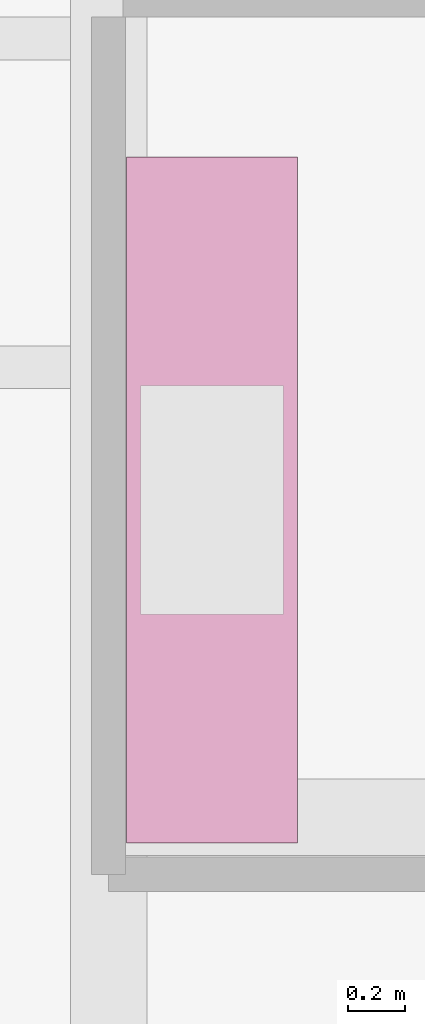
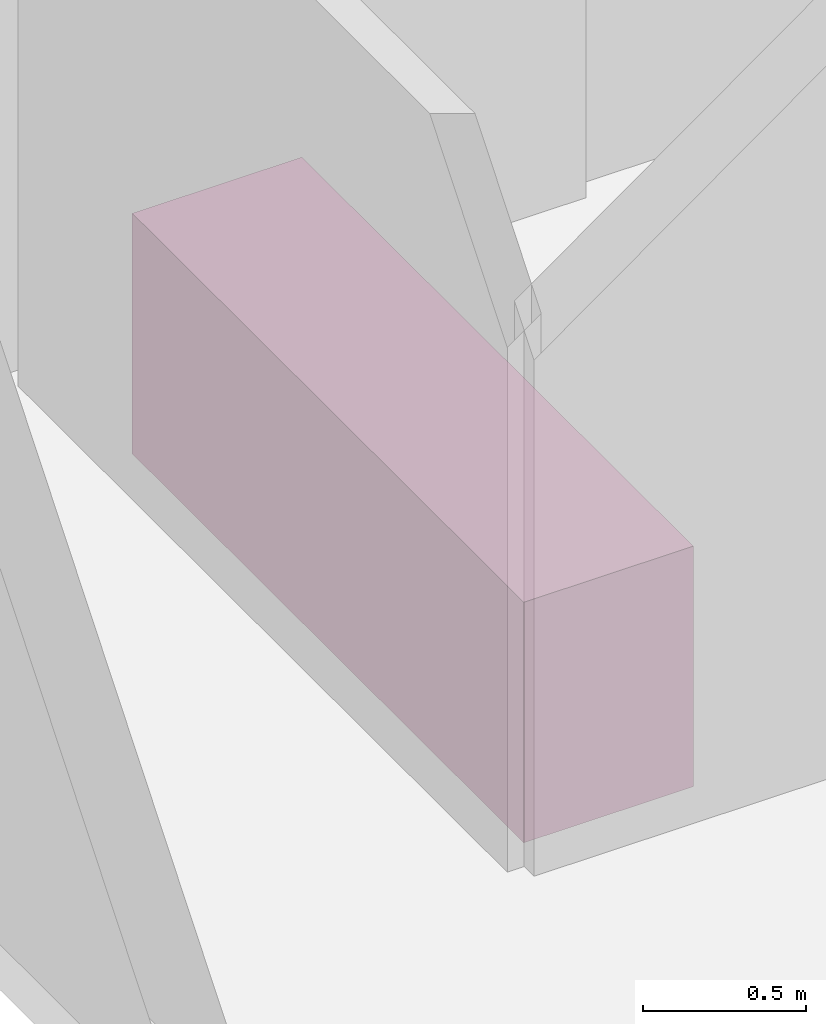
# One storey, part 17 of 17: 1 furniture element.
"""IFC4 building model written with IfcOpenShell, lengths in metres."""

import ifcopenshell
import ifcopenshell.guid

model = None  # the IFC model being written
_history = None  # IfcOwnerHistory: only IFC2X3 demands one
_inside = {}  # id of a spatial element -> (the spatial element, [elements in it])
_under = {}  # id of a project, library or spatial element -> (it, [spatial elements below it])
_declared = {}  # id of a project -> (the project, [libraries it declares])
_typed = {}  # id of a type object -> (the type object, [elements of that type])
_made_of = {}  # id of a material, layer set ... -> (it, [elements and type objects made of it])


def new_model(schema):
    """Start an empty IFC model of exactly this schema.

    Asked for "IFC4X3", IfcOpenShell would pick the latest addendum, in which some entities
    have other attributes; the version numbers below select the first issue.
    IFC2X3 requires an IfcOwnerHistory on every rooted entity: one is made here for all.
    """
    global model, _history
    if schema == "IFC4X3":
        model = ifcopenshell.file(schema_version=(4, 3, 0, 0))
    else:
        model = ifcopenshell.file(schema=schema)
    _inside.clear()
    _under.clear()
    _declared.clear()
    _typed.clear()
    _made_of.clear()
    _history = None
    if model.schema == "IFC2X3":
        org = make("IfcOrganization", Name="unknown")
        user = make(
            "IfcPersonAndOrganization",
            ThePerson=make("IfcPerson", FamilyName="unknown"),
            TheOrganization=org,
        )
        app = make(
            "IfcApplication",
            ApplicationDeveloper=org,
            Version="unknown",
            ApplicationFullName="unknown",
            ApplicationIdentifier="unknown",
        )
        _history = make(
            "IfcOwnerHistory",
            OwningUser=user,
            OwningApplication=app,
            ChangeAction="ADDED",
            CreationDate=0,
        )
    return model


def make(cls, **values):
    """One entity of the class cls with the attributes given. An attribute that is None is left unset."""
    return model.create_entity(
        cls, **{name: value for name, value in values.items() if value is not None}
    )


def rooted(cls, **values):
    """An entity with a GlobalId (a new one), such as an element, a storey or a relation."""
    return make(cls, GlobalId=ifcopenshell.guid.new(), OwnerHistory=_history, **values)


def si_unit(unit_type, name, prefix=None):
    """IfcSIUnit, for example si_unit("LENGTHUNIT", "METRE", prefix="MILLI")."""
    return make("IfcSIUnit", UnitType=unit_type, Prefix=prefix, Name=name)


def assignment(units):
    """IfcUnitAssignment: the units of a project."""
    return None if units is None else make("IfcUnitAssignment", Units=units)


def point(xyz):
    """IfcCartesianPoint."""
    return None if xyz is None else make("IfcCartesianPoint", Coordinates=xyz)


def direction(xyz):
    """IfcDirection."""
    return None if xyz is None else make("IfcDirection", DirectionRatios=xyz)


def frame(location, z_axis=None, x_axis=None):
    """IfcAxis2Placement3D, a coordinate frame: its origin and axes. An axis left out is left unset."""
    return make(
        "IfcAxis2Placement3D",
        Location=point(location),
        Axis=direction(z_axis),
        RefDirection=direction(x_axis),
    )


def frame_2d(location, x_axis=None):
    """IfcAxis2Placement2D, a coordinate frame in the plane: its origin and x axis."""
    return make(
        "IfcAxis2Placement2D", Location=point(location), RefDirection=direction(x_axis)
    )


def origin():
    """The frame at (0, 0, 0) with its axes left unset."""
    return frame((0.0, 0.0, 0.0))


def origin_2d():
    """The frame at (0, 0) in the plane with its x axis left unset."""
    return frame_2d((0.0, 0.0))


def place(relative_to, where):
    """IfcLocalPlacement: puts the frame where relative to a parent placement (None: the world)."""
    return make(
        "IfcLocalPlacement", PlacementRelTo=relative_to, RelativePlacement=where
    )


def context(
    kind, dimensions, precision=None, world=None, true_north=None, identifier=None
):
    """IfcGeometricRepresentationContext, for example the 3D "Model" context."""
    return make(
        "IfcGeometricRepresentationContext",
        ContextIdentifier=identifier,
        ContextType=kind,
        CoordinateSpaceDimension=dimensions,
        Precision=precision,
        WorldCoordinateSystem=world,
        TrueNorth=true_north,
    )


def subcontext(parent, identifier, kind, view, scale=None):
    """IfcGeometricRepresentationSubContext, for example "Body" below "Model"."""
    return make(
        "IfcGeometricRepresentationSubContext",
        ContextIdentifier=identifier,
        ContextType=kind,
        ParentContext=parent,
        TargetScale=scale,
        TargetView=view,
    )


def project(units=None, contexts=None):
    """IfcProject with its units and contexts."""
    return rooted(
        "IfcProject",
        Name="project",
        RepresentationContexts=contexts,
        UnitsInContext=assignment(units),
    )


def spatial(cls, under=None, at=None, **own):
    """A site, building, storey or space (cls), placed at a placement, below another one or the project."""
    s = rooted(cls, ObjectPlacement=at, **own)
    if under is not None:
        _under.setdefault(under.id(), (under, []))[1].append(s)
    return s


def profile(cls, at=None, kind="AREA", **sizes):
    """A parametric profile (cls). Its sizes go by their IFC names, for example OverallWidth=200.0."""
    return make(cls, ProfileType=kind, Position=at, **sizes)


def rectangle(**sizes):
    """IfcRectangleProfileDef."""
    return profile("IfcRectangleProfileDef", **sizes)


def extrude(swept, where, along, depth):
    """IfcExtrudedAreaSolid: the profile swept, set in the frame where, extruded along a direction by depth."""
    return make(
        "IfcExtrudedAreaSolid",
        SweptArea=swept,
        Position=where,
        ExtrudedDirection=direction(along),
        Depth=depth,
    )


def shape(context_of_items, identifier, shape_type, items):
    """IfcShapeRepresentation: the items that make up one representation, for example the "Body"."""
    return make(
        "IfcShapeRepresentation",
        ContextOfItems=context_of_items,
        RepresentationIdentifier=identifier,
        RepresentationType=shape_type,
        Items=items,
    )


def material(Name=None, Category=None):
    """IfcMaterial."""
    return make("IfcMaterial", Name=Name, Category=Category)


def made_of(thing, what):
    """Note that an element or type object is made of a material, layer set ...; save() writes the relation."""
    if what is not None:
        _made_of.setdefault(what.id(), (what, []))[1].append(thing)
    return thing


def type_object(cls, material=None, **own):
    """A type object (cls), such as IfcWallType, which elements share."""
    return made_of(rooted(cls, **own), material)


def element(
    cls,
    number,
    at=None,
    inside=None,
    cuts=None,
    type_object=None,
    material=None,
    context=None,
    identifier="Body",
    shape_type=None,
    held_by="IfcProductDefinitionShape",
    body=None,
    shapes=None,
    **own,
):
    """One element of the class cls, such as IfcWall. Its Tag is "e" and its number.

    at: its placement. inside: the storey or other place that contains it. cuts: it is an
    opening in that element (IfcRelVoidsElement). A single representation is given by context,
    identifier, shape_type and body (its items); several are given by shapes. held_by: the class
    of the entity that holds the representations. save() writes the other relations.
    """
    e = rooted(cls, Tag="e%d" % number, ObjectPlacement=at, **own)
    if body is not None:
        shapes = [shape(context, identifier, shape_type, body)]
    if shapes is not None:
        e.Representation = make(held_by, Representations=shapes)
    if inside is not None:
        _inside.setdefault(inside.id(), (inside, []))[1].append(e)
    if cuts is not None:
        rooted(
            "IfcRelVoidsElement", RelatingBuildingElement=cuts, RelatedOpeningElement=e
        )
    if type_object is not None:
        _typed.setdefault(type_object.id(), (type_object, []))[1].append(e)
    return made_of(e, material)


def aggregate(whole, parts):
    """IfcRelAggregates: a whole, such as a stair, and the parts it consists of."""
    return rooted("IfcRelAggregates", RelatingObject=whole, RelatedObjects=parts)


def save(model, path):
    """Write the relations noted so far, then the file.

    IfcRelAggregates (storeys below a building ...), IfcRelContainedInSpatialStructure (elements
    in a storey), IfcRelDefinesByType, IfcRelAssociatesMaterial and IfcRelDeclares: one each for
    every whole, place, type object, material and project.
    """
    for whole, parts in _under.values():
        aggregate(whole, parts)
    for where, things in _inside.values():
        rooted(
            "IfcRelContainedInSpatialStructure",
            RelatedElements=things,
            RelatingStructure=where,
        )
    for kind, things in _typed.values():
        rooted("IfcRelDefinesByType", RelatedObjects=things, RelatingType=kind)
    for what, things in _made_of.values():
        rooted("IfcRelAssociatesMaterial", RelatedObjects=things, RelatingMaterial=what)
    for by, libraries in _declared.values():
        rooted("IfcRelDeclares", RelatingContext=by, RelatedDefinitions=libraries)
    model.write(path)


model = new_model("IFC4")

# Units and contexts
model_context = context("Model", 3, precision=1e-05, world=origin(), true_north=direction((0.0, 1.0)))
body_context = subcontext(model_context, "Body", "Model", "MODEL_VIEW")
ifc_project = project(units=[si_unit("LENGTHUNIT", "METRE"), si_unit("AREAUNIT", "SQUARE_METRE"), si_unit("VOLUMEUNIT", "CUBIC_METRE"), si_unit("PLANEANGLEUNIT", "RADIAN"), si_unit("MASSUNIT", "GRAM", prefix="KILO")], contexts=[model_context])

# Site, building, storey
site_placement = place(None, origin())
site = spatial("IfcSite", under=ifc_project, at=site_placement, CompositionType="ELEMENT")
building_placement = place(site_placement, origin())
building = spatial("IfcBuilding", under=site, at=building_placement, Name="Kvirike Care Tower", CompositionType="ELEMENT")
storey_placement = place(building_placement, frame((0.0, 0.0, 141.0)))
storey = spatial("IfcBuildingStorey", under=building, at=storey_placement, Name="L38", CompositionType="ELEMENT", Elevation=141.0)

# Furniture
ifc_material = material(Name="Laminated board", Category="wood")
furniture_type = type_object("IfcFurnitureType", Name="KITCHEN UNIT RUN 600", AssemblyPlace="FACTORY", PredefinedType="USERDEFINED", material=ifc_material)
furniture_placement = place(storey_placement, frame((19.56201171875, 25.110107421875, 0.0), z_axis=(0.0, 0.0, 1.0), x_axis=(0.0, 1.0, 0.0)))
element("IfcFurniture", 1, at=furniture_placement, inside=storey, type_object=furniture_type, Name="Kitchen unit run L38-011", ObjectType="KITCHEN UNIT", PredefinedType="USERDEFINED", context=body_context, shape_type="SweptSolid", body=[
    extrude(rectangle(XDim=2.39990234375, YDim=0.60009765625, at=origin_2d()), origin(), (0.0, 0.0, 1.0), 0.89990234375),
])

save(model, "model.ifc")
